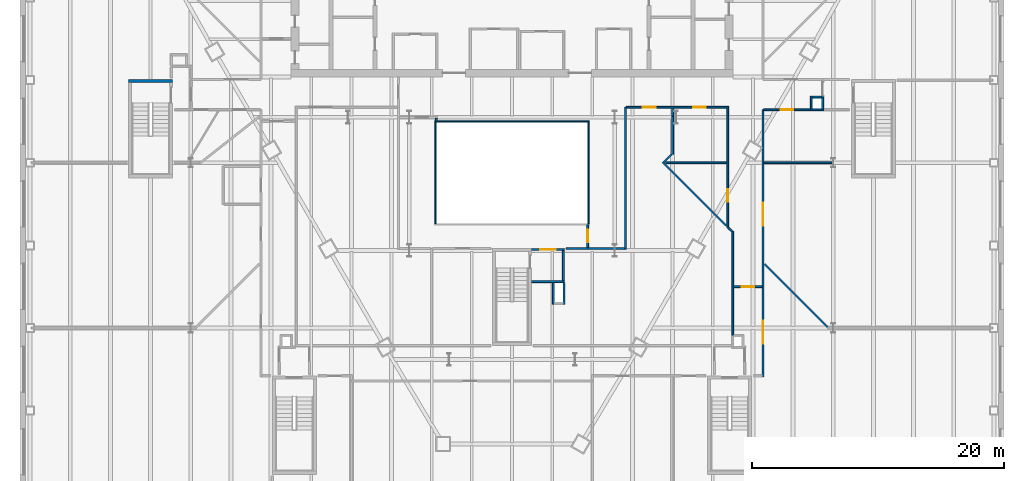
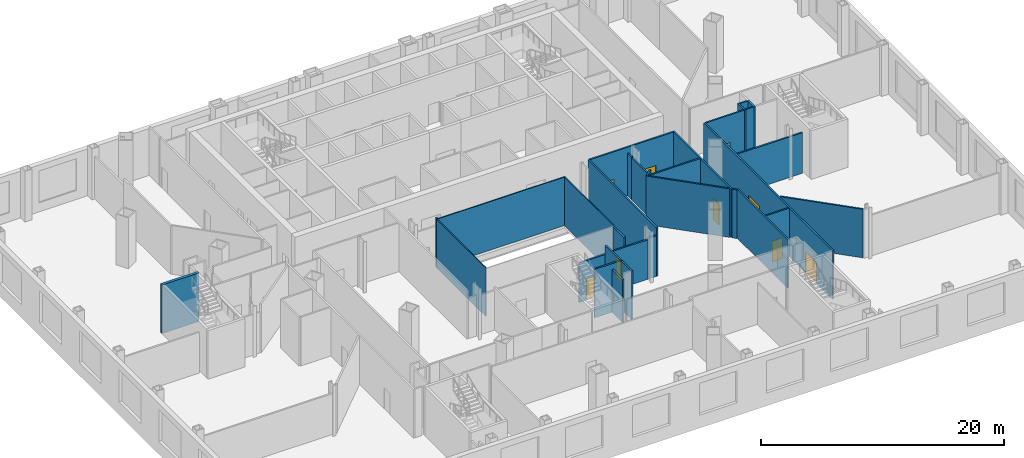
# One storey, part 11 of 21: 32 walls, 9 doors, 9 openings.
"""IFC4 building model written with IfcOpenShell, lengths in metres."""

from ifc_helpers import new_model, si_unit, direction, frame, frame_2d, origin, place, context, subcontext, project, spatial, rectangle, extrude, material, layer, layer_set, type_object, element, fill, save


model = new_model("IFC4")

# Units and contexts
model_context = context("Model", 3, precision=1e-05, world=origin(), true_north=direction((0.0, 1.0)))
body_context = subcontext(model_context, "Body", "Model", "MODEL_VIEW")
ifc_project = project(units=[si_unit("LENGTHUNIT", "METRE"), si_unit("AREAUNIT", "SQUARE_METRE"), si_unit("VOLUMEUNIT", "CUBIC_METRE"), si_unit("PLANEANGLEUNIT", "RADIAN"), si_unit("MASSUNIT", "GRAM", prefix="KILO")], contexts=[model_context])

# Site, building, storey
site_placement = place(None, origin())
site = spatial("IfcSite", under=ifc_project, at=site_placement, CompositionType="ELEMENT")
building_placement = place(site_placement, origin())
building = spatial("IfcBuilding", under=site, at=building_placement, Name="Njiva Tower", CompositionType="ELEMENT")
storey_placement = place(building_placement, frame((0.0, 0.0, 13.5)))
storey = spatial("IfcBuildingStorey", under=building, at=storey_placement, Name="L02", CompositionType="ELEMENT", Elevation=13.5)

# Walls
ifc_material_1 = material(Name="Gypsum board on steel studs", Category="gypsum")
ifc_layer_1 = layer(ifc_material_1, 0.15)
ifc_layer_set_1 = layer_set([ifc_layer_1], Name="Gypsum board on steel studs")
wall_type_1 = type_object("IfcWallType", Name="WT21 Compartment wall 150", PredefinedType="PARTITIONING", material=ifc_layer_set_1)
wall_1_placement = place(storey_placement, frame((-6.0, -3.48, 0.0), z_axis=(0.0, 0.0, 1.0), x_axis=(0.0, 1.0, 0.0)))
element("IfcWall", 1, at=wall_1_placement, inside=storey, type_object=wall_type_1, Name="Partition L02-P053", PredefinedType="PARTITIONING", context=body_context, shape_type="SweptSolid", body=[
    extrude(rectangle(XDim=0.205, YDim=0.15, at=frame_2d((0.1025, 0.0))), origin(), (0.0, 0.0, 1.0), 4.88),
])
wall_2_placement = place(storey_placement, frame((4.3, -13.6, 0.0), z_axis=(0.0, 0.0, 1.0), x_axis=(1.0, 0.0, 0.0)))
element("IfcWall", 2, at=wall_2_placement, inside=storey, type_object=wall_type_1, Name="Partition L02-P056", PredefinedType="PARTITIONING", context=body_context, shape_type="SweptSolid", body=[
    extrude(rectangle(XDim=3.85, YDim=0.15, at=frame_2d((1.925, 0.0))), origin(), (0.0, 0.0, 1.0), 3.97),
])
wall_3_placement = place(storey_placement, frame((8.15, -13.6, 0.0), z_axis=(0.0, 0.0, 1.0), x_axis=(1.0, 0.0, 0.0)))
element("IfcWall", 3, at=wall_3_placement, inside=storey, type_object=wall_type_1, Name="Partition L02-P056A", PredefinedType="PARTITIONING", context=body_context, shape_type="SweptSolid", body=[
    extrude(rectangle(XDim=0.775, YDim=0.15, at=frame_2d((0.3875, 0.0))), origin(), (0.0, 0.0, 1.0), 4.09),
])

# Wall, opening, door
wall_4_placement = place(storey_placement, frame((6.0, -13.525, 0.0), z_axis=(0.0, 0.0, 1.0), x_axis=(0.0, 1.0, 0.0)))
wall_4 = element("IfcWall", 4, at=wall_4_placement, inside=storey, type_object=wall_type_1, Name="Partition L02-P057", PredefinedType="PARTITIONING", context=body_context, shape_type="SweptSolid", body=[
    extrude(rectangle(XDim=1.805, YDim=0.15, at=frame_2d((0.9025, 0.0))), origin(), (0.0, 0.0, 1.0), 4.88),
])
opening_1_placement = place(wall_4_placement, frame((0.403, 0.0, 0.0)))
opening_1 = element("IfcOpeningElement", 5, at=opening_1_placement, cuts=wall_4, Name="Opening L02-D020", PredefinedType="OPENING", context=body_context, shape_type="SweptSolid", body=[
    extrude(rectangle(XDim=1.0, YDim=2.1, at=frame_2d((0.5, 1.05))), frame((0.0, 0.085, 0.0), z_axis=(0.0, -1.0, 0.0), x_axis=(1.0, 0.0, 0.0)), (0.0, 0.0, 1.0), 0.17),
])
ifc_material_2 = material(Name="Steel fire door set", Category="steel")
door_type_1 = type_object("IfcDoorType", Name="D37 Fire door 1000x2100", OperationType="SINGLE_SWING_LEFT", PredefinedType="DOOR", material=ifc_material_2)
door_1_placement = place(opening_1_placement, origin())
door_1 = element("IfcDoor", 6, at=door_1_placement, inside=storey, type_object=door_type_1, Name="Door L02-D020", OperationType="SINGLE_SWING_RIGHT", OverallHeight=2.1, OverallWidth=1.0, PredefinedType="DOOR", context=body_context, shape_type="SweptSolid", body=[
    extrude(rectangle(XDim=1.0, YDim=2.1, at=frame_2d((0.5, 1.05))), frame((0.0, 0.025, 0.0), z_axis=(0.0, -1.0, 0.0), x_axis=(1.0, 0.0, 0.0)), (0.0, 0.0, 1.0), 0.05),
])
fill(opening_1, door_1)

# Wall
wall_5_placement = place(storey_placement, frame((9.0, -13.675, 0.0), z_axis=(0.0, 0.0, 1.0), x_axis=(0.0, 1.0, 0.0)))
element("IfcWall", 7, at=wall_5_placement, inside=storey, type_object=wall_type_1, Name="Partition L02-P061", PredefinedType="PARTITIONING", context=body_context, shape_type="SweptSolid", body=[
    extrude(rectangle(XDim=11.286, YDim=0.15, at=frame_2d((5.643, 0.0))), origin(), (0.0, 0.0, 1.0), 4.88),
])

# Wall, openings, doors
wall_6_placement = place(storey_placement, frame((9.075, -2.4, 0.0), z_axis=(0.0, 0.0, 1.0), x_axis=(1.0, 0.0, 0.0)))
wall_6 = element("IfcWall", 8, at=wall_6_placement, inside=storey, type_object=wall_type_1, Name="Partition L02-P062", PredefinedType="PARTITIONING", context=body_context, shape_type="SweptSolid", body=[
    extrude(rectangle(XDim=7.95, YDim=0.15, at=frame_2d((3.975, 0.0))), origin(), (0.0, 0.0, 1.0), 4.88),
])
opening_2_placement = place(wall_6_placement, frame((1.303, 0.0, 0.0)))
opening_2 = element("IfcOpeningElement", 9, at=opening_2_placement, cuts=wall_6, Name="Opening L02-D023", PredefinedType="OPENING", context=body_context, shape_type="SweptSolid", body=[
    extrude(rectangle(XDim=1.0, YDim=2.1, at=frame_2d((0.5, 1.05))), frame((0.0, 0.085, 0.0), z_axis=(0.0, -1.0, 0.0), x_axis=(1.0, 0.0, 0.0)), (0.0, 0.0, 1.0), 0.17),
])
opening_3_placement = place(wall_6_placement, frame((5.279, 0.0, 0.0)))
opening_3 = element("IfcOpeningElement", 10, at=opening_3_placement, cuts=wall_6, Name="Opening L02-D024", PredefinedType="OPENING", context=body_context, shape_type="SweptSolid", body=[
    extrude(rectangle(XDim=1.0, YDim=2.1, at=frame_2d((0.5, 1.05))), frame((0.0, 0.085, 0.0), z_axis=(0.0, -1.0, 0.0), x_axis=(1.0, 0.0, 0.0)), (0.0, 0.0, 1.0), 0.17),
])
door_2_placement = place(opening_2_placement, origin())
door_2 = element("IfcDoor", 11, at=door_2_placement, inside=storey, type_object=door_type_1, Name="Door L02-D023", OperationType="SINGLE_SWING_LEFT", OverallHeight=2.1, OverallWidth=1.0, PredefinedType="DOOR", context=body_context, shape_type="SweptSolid", body=[
    extrude(rectangle(XDim=1.0, YDim=2.1, at=frame_2d((0.5, 1.05))), frame((0.0, 0.025, 0.0), z_axis=(0.0, -1.0, 0.0), x_axis=(1.0, 0.0, 0.0)), (0.0, 0.0, 1.0), 0.05),
])
fill(opening_2, door_2)
door_3_placement = place(opening_3_placement, origin())
door_3 = element("IfcDoor", 12, at=door_3_placement, inside=storey, type_object=door_type_1, Name="Door L02-D024", OperationType="SINGLE_SWING_RIGHT", OverallHeight=2.1, OverallWidth=1.0, PredefinedType="DOOR", context=body_context, shape_type="SweptSolid", body=[
    extrude(rectangle(XDim=1.0, YDim=2.1, at=frame_2d((0.5, 1.05))), frame((0.0, 0.025, 0.0), z_axis=(0.0, -1.0, 0.0), x_axis=(1.0, 0.0, 0.0)), (0.0, 0.0, 1.0), 0.05),
])
fill(opening_3, door_3)

# Walls
wall_7_placement = place(storey_placement, frame((11.947, -6.747, 0.0), z_axis=(0.0, 0.0, 1.0), x_axis=(0.707106781187, -0.707106781187, 0.0)))
element("IfcWall", 13, at=wall_7_placement, inside=storey, type_object=wall_type_1, Name="Partition L02-P064", PredefinedType="PARTITIONING", context=body_context, shape_type="SweptSolid", body=[
    extrude(rectangle(XDim=7.1064, YDim=0.15, at=frame_2d((3.5532, 0.0))), origin(), (0.0, 0.0, 1.0), 4.88),
])
wall_8_placement = place(storey_placement, frame((12.054, -6.747, 0.0), z_axis=(0.0, 0.0, 1.0), x_axis=(0.706521670373, 0.707691408238, 0.0)))
element("IfcWall", 14, at=wall_8_placement, inside=storey, type_object=wall_type_1, Name="Partition L02-P065", PredefinedType="PARTITIONING", context=body_context, shape_type="SweptSolid", body=[
    extrude(rectangle(XDim=0.8549, YDim=0.15, at=frame_2d((0.4274, 0.0))), origin(), (0.0, 0.0, 1.0), 4.88),
])
wall_9_placement = place(storey_placement, frame((12.181, -6.8, 0.0), z_axis=(0.0, 0.0, 1.0), x_axis=(1.0, 0.0, 0.0)))
element("IfcWall", 15, at=wall_9_placement, inside=storey, type_object=wall_type_1, Name="Partition L02-P066", PredefinedType="PARTITIONING", context=body_context, shape_type="SweptSolid", body=[
    extrude(rectangle(XDim=4.844, YDim=0.15, at=frame_2d((2.422, 0.0))), origin(), (0.0, 0.0, 1.0), 4.88),
])
wall_10_placement = place(storey_placement, frame((12.733, -6.142, 0.0), z_axis=(0.0, 0.0, 1.0), x_axis=(0.000262984869, 0.999999965419, 0.0)))
element("IfcWall", 16, at=wall_10_placement, inside=storey, type_object=wall_type_1, Name="Partition L02-P067", PredefinedType="PARTITIONING", context=body_context, shape_type="SweptSolid", body=[
    extrude(rectangle(XDim=3.042, YDim=0.15, at=frame_2d((1.521, 0.0))), origin(), (0.0, 0.0, 1.0), 4.19),
])
wall_11_placement = place(storey_placement, frame((12.7338, -3.1, 0.0), z_axis=(0.0, 0.0, 1.0), x_axis=(0.000319999984, 0.9999999488, 0.0)))
element("IfcWall", 17, at=wall_11_placement, inside=storey, type_object=wall_type_1, Name="Partition L02-P067A", PredefinedType="PARTITIONING", context=body_context, shape_type="SweptSolid", body=[
    extrude(rectangle(XDim=0.625, YDim=0.15, at=frame_2d((0.3125, 0.0))), origin(), (0.0, 0.0, 1.0), 4.28),
])

# Wall, opening, door
wall_12_placement = place(storey_placement, frame((17.1, -11.9, 0.0), z_axis=(0.0, 0.0, 1.0), x_axis=(0.0, 1.0, 0.0)))
wall_12 = element("IfcWall", 18, at=wall_12_placement, inside=storey, type_object=wall_type_1, Name="Partition L02-P070", PredefinedType="PARTITIONING", context=body_context, shape_type="SweptSolid", body=[
    extrude(rectangle(XDim=9.575, YDim=0.15, at=frame_2d((4.7875, 0.0))), origin(), (0.0, 0.0, 1.0), 4.88),
])
opening_4_placement = place(wall_12_placement, frame((2.0, 0.0, 0.0)))
opening_4 = element("IfcOpeningElement", 19, at=opening_4_placement, cuts=wall_12, Name="Opening L02-D026", PredefinedType="OPENING", context=body_context, shape_type="SweptSolid", body=[
    extrude(rectangle(XDim=1.0, YDim=2.1, at=frame_2d((0.5, 1.05))), frame((0.0, 0.085, 0.0), z_axis=(0.0, -1.0, 0.0), x_axis=(1.0, 0.0, 0.0)), (0.0, 0.0, 1.0), 0.17),
])
door_4_placement = place(opening_4_placement, origin())
door_4 = element("IfcDoor", 20, at=door_4_placement, inside=storey, type_object=door_type_1, Name="Door L02-D026", OperationType="SINGLE_SWING_RIGHT", OverallHeight=2.1, OverallWidth=1.0, PredefinedType="DOOR", context=body_context, shape_type="SweptSolid", body=[
    extrude(rectangle(XDim=1.0, YDim=2.1, at=frame_2d((0.5, 1.05))), frame((0.0, 0.025, 0.0), z_axis=(0.0, -1.0, 0.0), x_axis=(1.0, 0.0, 0.0)), (0.0, 0.0, 1.0), 0.05),
])
fill(opening_4, door_4)

# Walls
wall_13_placement = place(storey_placement, frame((17.137, -11.938, 0.0), z_axis=(0.0, 0.0, 1.0), x_axis=(0.708335460904, -0.705875962776, 0.0)))
element("IfcWall", 21, at=wall_13_placement, inside=storey, type_object=wall_type_1, Name="Partition L02-P071", PredefinedType="PARTITIONING", context=body_context, shape_type="SweptSolid", body=[
    extrude(rectangle(XDim=0.4066, YDim=0.15, at=frame_2d((0.2033, 0.0))), origin(), (0.0, 0.0, 1.0), 4.88),
])
wall_14_placement = place(storey_placement, frame((17.5, -20.513, 0.0), z_axis=(0.0, 0.0, 1.0), x_axis=(0.0, 1.0, 0.0)))
element("IfcWall", 22, at=wall_14_placement, inside=storey, type_object=wall_type_1, Name="Partition L02-P073", PredefinedType="PARTITIONING", context=body_context, shape_type="SweptSolid", body=[
    extrude(rectangle(XDim=8.288, YDim=0.15, at=frame_2d((4.144, 0.0))), origin(), (0.0, 0.0, 1.0), 4.88),
])

# Wall, opening, door
wall_15_placement = place(storey_placement, frame((17.575, -16.625, 0.0), z_axis=(0.0, 0.0, 1.0), x_axis=(1.0, 0.0, 0.0)))
wall_15 = element("IfcWall", 23, at=wall_15_placement, inside=storey, type_object=wall_type_1, Name="Partition L02-P077", PredefinedType="PARTITIONING", context=body_context, shape_type="SweptSolid", body=[
    extrude(rectangle(XDim=2.25, YDim=0.15, at=frame_2d((1.125, 0.0))), origin(), (0.0, 0.0, 1.0), 4.88),
])
opening_5_placement = place(wall_15_placement, frame((0.625, 0.0, 0.0)))
opening_5 = element("IfcOpeningElement", 24, at=opening_5_placement, cuts=wall_15, Name="Opening L02-D027", PredefinedType="OPENING", context=body_context, shape_type="SweptSolid", body=[
    extrude(rectangle(XDim=1.0, YDim=2.1, at=frame_2d((0.5, 1.05))), frame((0.0, 0.085, 0.0), z_axis=(0.0, -1.0, 0.0), x_axis=(1.0, 0.0, 0.0)), (0.0, 0.0, 1.0), 0.17),
])
door_5_placement = place(opening_5_placement, origin())
door_5 = element("IfcDoor", 25, at=door_5_placement, inside=storey, type_object=door_type_1, Name="Door L02-D027", OperationType="SINGLE_SWING_RIGHT", OverallHeight=2.1, OverallWidth=1.0, PredefinedType="DOOR", context=body_context, shape_type="SweptSolid", body=[
    extrude(rectangle(XDim=1.0, YDim=2.1, at=frame_2d((0.5, 1.05))), frame((0.0, 0.025, 0.0), z_axis=(0.0, -1.0, 0.0), x_axis=(1.0, 0.0, 0.0)), (0.0, 0.0, 1.0), 0.05),
])
fill(opening_5, door_5)

# Wall, openings, doors
wall_16_placement = place(storey_placement, frame((19.9, -23.775, 0.0), z_axis=(0.0, 0.0, 1.0), x_axis=(0.0, 1.0, 0.0)))
wall_16 = element("IfcWall", 26, at=wall_16_placement, inside=storey, type_object=wall_type_1, Name="Partition L02-P082", PredefinedType="PARTITIONING", context=body_context, shape_type="SweptSolid", body=[
    extrude(rectangle(XDim=21.187, YDim=0.15, at=frame_2d((10.5935, 0.0))), origin(), (0.0, 0.0, 1.0), 4.88),
])
opening_6_placement = place(wall_16_placement, frame((2.643, 0.0, 0.0)))
opening_6 = element("IfcOpeningElement", 27, at=opening_6_placement, cuts=wall_16, Name="Opening L02-D029", PredefinedType="OPENING", context=body_context, shape_type="SweptSolid", body=[
    extrude(rectangle(XDim=1.8, YDim=2.1, at=frame_2d((0.9, 1.05))), frame((0.0, 0.085, 0.0), z_axis=(0.0, -1.0, 0.0), x_axis=(1.0, 0.0, 0.0)), (0.0, 0.0, 1.0), 0.17),
])
opening_7_placement = place(wall_16_placement, frame((11.998, 0.0, 0.0)))
opening_7 = element("IfcOpeningElement", 28, at=opening_7_placement, cuts=wall_16, Name="Opening L02-D030", PredefinedType="OPENING", context=body_context, shape_type="SweptSolid", body=[
    extrude(rectangle(XDim=1.8, YDim=2.1, at=frame_2d((0.9, 1.05))), frame((0.0, 0.085, 0.0), z_axis=(0.0, -1.0, 0.0), x_axis=(1.0, 0.0, 0.0)), (0.0, 0.0, 1.0), 0.17),
])
door_type_2 = type_object("IfcDoorType", Name="D38 Fire door 1800x2100", OperationType="DOUBLE_DOOR_SINGLE_SWING", PredefinedType="DOOR", material=ifc_material_2)
door_6_placement = place(opening_6_placement, origin())
door_6 = element("IfcDoor", 29, at=door_6_placement, inside=storey, type_object=door_type_2, Name="Door L02-D029", OperationType="DOUBLE_DOOR_SINGLE_SWING", OverallHeight=2.1, OverallWidth=1.8, PredefinedType="DOOR", context=body_context, shape_type="SweptSolid", body=[
    extrude(rectangle(XDim=1.8, YDim=2.1, at=frame_2d((0.9, 1.05))), frame((0.0, 0.025, 0.0), z_axis=(0.0, -1.0, 0.0), x_axis=(1.0, 0.0, 0.0)), (0.0, 0.0, 1.0), 0.05),
])
fill(opening_6, door_6)
door_7_placement = place(opening_7_placement, origin())
door_7 = element("IfcDoor", 30, at=door_7_placement, inside=storey, type_object=door_type_2, Name="Door L02-D030", OperationType="DOUBLE_DOOR_SINGLE_SWING", OverallHeight=2.1, OverallWidth=1.8, PredefinedType="DOOR", context=body_context, shape_type="SweptSolid", body=[
    extrude(rectangle(XDim=1.8, YDim=2.1, at=frame_2d((0.9, 1.05))), frame((0.0, 0.025, 0.0), z_axis=(0.0, -1.0, 0.0), x_axis=(1.0, 0.0, 0.0)), (0.0, 0.0, 1.0), 0.05),
])
fill(opening_7, door_7)

# Wall
wall_17_placement = place(storey_placement, frame((19.975, -6.8, 0.0), z_axis=(0.0, 0.0, 1.0), x_axis=(1.0, 0.0, 0.0)))
element("IfcWall", 31, at=wall_17_placement, inside=storey, type_object=wall_type_1, Name="Partition L02-P087", PredefinedType="PARTITIONING", context=body_context, shape_type="SweptSolid", body=[
    extrude(rectangle(XDim=6.775, YDim=0.15, at=frame_2d((3.3875, 0.0))), origin(), (0.0, 0.0, 1.0), 4.09),
])

# Wall, opening, door
wall_18_placement = place(storey_placement, frame((19.975, -2.6, 0.0), z_axis=(0.0, 0.0, 1.0), x_axis=(1.0, 0.0, 0.0)))
wall_18 = element("IfcWall", 32, at=wall_18_placement, inside=storey, type_object=wall_type_1, Name="Partition L02-P088", PredefinedType="PARTITIONING", context=body_context, shape_type="SweptSolid", body=[
    extrude(rectangle(XDim=3.675, YDim=0.15, at=frame_2d((1.8375, 0.0))), origin(), (0.0, 0.0, 1.0), 4.88),
])
opening_8_placement = place(wall_18_placement, frame((1.312, 0.0, 0.0)))
opening_8 = element("IfcOpeningElement", 33, at=opening_8_placement, cuts=wall_18, Name="Opening L02-D033", PredefinedType="OPENING", context=body_context, shape_type="SweptSolid", body=[
    extrude(rectangle(XDim=1.0, YDim=2.1, at=frame_2d((0.5, 1.05))), frame((0.0, 0.085, 0.0), z_axis=(0.0, -1.0, 0.0), x_axis=(1.0, 0.0, 0.0)), (0.0, 0.0, 1.0), 0.17),
])
door_8_placement = place(opening_8_placement, origin())
door_8 = element("IfcDoor", 34, at=door_8_placement, inside=storey, type_object=door_type_1, Name="Door L02-D033", OperationType="SINGLE_SWING_LEFT", OverallHeight=2.1, OverallWidth=1.0, PredefinedType="DOOR", context=body_context, shape_type="SweptSolid", body=[
    extrude(rectangle(XDim=1.0, YDim=2.1, at=frame_2d((0.5, 1.05))), frame((0.0, 0.025, 0.0), z_axis=(0.0, -1.0, 0.0), x_axis=(1.0, 0.0, 0.0)), (0.0, 0.0, 1.0), 0.05),
])
fill(opening_8, door_8)

# Walls
wall_19_placement = place(storey_placement, frame((20.028, -14.827, 0.0), z_axis=(0.0, 0.0, 1.0), x_axis=(0.707106781187, -0.707106781187, 0.0)))
element("IfcWall", 35, at=wall_19_placement, inside=storey, type_object=wall_type_1, Name="Partition L02-P089", PredefinedType="PARTITIONING", context=body_context, shape_type="SweptSolid", body=[
    extrude(rectangle(XDim=7.0682, YDim=0.15, at=frame_2d((3.5341, 0.0))), origin(), (0.0, 0.0, 1.0), 4.88),
])
ifc_layer_2 = layer(ifc_material_1, 0.15)
ifc_layer_set_2 = layer_set([ifc_layer_2], Name="Gypsum board on steel studs")
wall_type_2 = type_object("IfcWallType", Name="WT24 Riser room wall 150", PredefinedType="PARTITIONING", material=ifc_layer_set_2)
wall_20_placement = place(storey_placement, frame((23.725, -2.675, 0.0), z_axis=(0.0, 0.0, 1.0), x_axis=(0.0, 1.0, 0.0)))
element("IfcWall", 36, at=wall_20_placement, inside=storey, type_object=wall_type_2, Name="Partition L02-P091", PredefinedType="PARTITIONING", context=body_context, shape_type="SweptSolid", body=[
    extrude(rectangle(XDim=1.15, YDim=0.15, at=frame_2d((0.575, 0.0))), origin(), (0.0, 0.0, 1.0), 4.88),
])
for number, where, z_axis, x_axis, name in (
    (37, (23.8, -2.6, 0.0), (0.0, 0.0, 1.0), (1.0, 0.0, 0.0), "Partition L02-P092"),
    (38, (23.8, -1.6, 0.0), (0.0, 0.0, 1.0), (1.0, 0.0, 0.0), "Partition L02-P093"),
):
    element("IfcWall", number, at=place(storey_placement, frame(where, z_axis=z_axis, x_axis=x_axis)), inside=storey, type_object=wall_type_2, Name=name, PredefinedType="PARTITIONING", context=body_context, shape_type="SweptSolid", body=[
        extrude(rectangle(XDim=0.75, YDim=0.15, at=frame_2d((0.375, 0.0))), origin(), (0.0, 0.0, 1.0), 4.88),
    ])
wall_21_placement = place(storey_placement, frame((24.625, -2.675, 0.0), z_axis=(0.0, 0.0, 1.0), x_axis=(0.0, 1.0, 0.0)))
element("IfcWall", 39, at=wall_21_placement, inside=storey, type_object=wall_type_2, Name="Partition L02-P094", PredefinedType="PARTITIONING", context=body_context, shape_type="SweptSolid", body=[
    extrude(rectangle(XDim=1.087, YDim=0.15, at=frame_2d((0.5435, 0.0))), origin(), (0.0, 0.0, 1.0), 4.88),
])
ifc_material_3 = material(Name="Blockwork", Category="masonry")
ifc_layer_3 = layer(ifc_material_3, 0.15)
ifc_layer_set_3 = layer_set([ifc_layer_3], Name="Blockwork")
wall_type_3 = type_object("IfcWallType", Name="WT4 Stair partition 150", PredefinedType="PARTITIONING", material=ifc_layer_set_3)
wall_22_placement = place(storey_placement, frame((1.55, -16.225, 0.0), z_axis=(0.0, 0.0, 1.0), x_axis=(1.0, 0.0, 0.0)))
element("IfcWall", 40, at=wall_22_placement, inside=storey, type_object=wall_type_3, Name="Stair C vestibule wall south", PredefinedType="PARTITIONING", context=body_context, shape_type="SweptSolid", body=[
    extrude(rectangle(XDim=2.6, YDim=0.15, at=frame_2d((1.3, 0.0))), origin(), (0.0, 0.0, 1.0), 4.88),
])
wall_23_placement = place(storey_placement, frame((4.075, -16.15, 0.0), z_axis=(0.0, 0.0, 1.0), x_axis=(0.0, 1.0, 0.0)))
element("IfcWall", 41, at=wall_23_placement, inside=storey, type_object=wall_type_3, Name="Stair C vestibule wall east", PredefinedType="PARTITIONING", context=body_context, shape_type="SweptSolid", body=[
    extrude(rectangle(XDim=2.4, YDim=0.15, at=frame_2d((1.2, 0.0))), origin(), (0.0, 0.0, 1.0), 4.88),
])

# Wall, opening, door
wall_24_placement = place(storey_placement, frame((1.55, -13.675, 0.0), z_axis=(0.0, 0.0, 1.0), x_axis=(1.0, 0.0, 0.0)))
wall_24 = element("IfcWall", 42, at=wall_24_placement, inside=storey, type_object=wall_type_3, Name="Stair C vestibule wall north", PredefinedType="PARTITIONING", context=body_context, shape_type="SweptSolid", body=[
    extrude(rectangle(XDim=2.6, YDim=0.15, at=frame_2d((1.3, 0.0))), origin(), (0.0, 0.0, 1.0), 3.97),
])
opening_9_placement = place(wall_24_placement, frame((0.675, 0.0, 0.0)))
opening_9 = element("IfcOpeningElement", 43, at=opening_9_placement, cuts=wall_24, Name="Opening L02-D940", PredefinedType="OPENING", context=body_context, shape_type="SweptSolid", body=[
    extrude(rectangle(XDim=1.25, YDim=2.1, at=frame_2d((0.625, 1.05))), frame((0.0, 0.085, 0.0), z_axis=(0.0, -1.0, 0.0), x_axis=(1.0, 0.0, 0.0)), (0.0, 0.0, 1.0), 0.17),
])
ifc_material_4 = material(Name="Glazed steel fire door", Category="steel")
door_type_3 = type_object("IfcDoorType", Name="D8 Vestibule corridor door 1250x2100 glazed", OperationType="SINGLE_SWING_LEFT", PredefinedType="DOOR", material=ifc_material_4)
door_9_placement = place(opening_9_placement, origin())
door_9 = element("IfcDoor", 44, at=door_9_placement, inside=storey, type_object=door_type_3, Name="Stair vestibule corridor door", OperationType="SINGLE_SWING_RIGHT", OverallHeight=2.1, OverallWidth=1.25, PredefinedType="DOOR", context=body_context, shape_type="SweptSolid", body=[
    extrude(rectangle(XDim=1.25, YDim=2.1, at=frame_2d((0.625, 1.05))), frame((0.0, 0.025, 0.0), z_axis=(0.0, -1.0, 0.0), x_axis=(1.0, 0.0, 0.0)), (0.0, 0.0, 1.0), 0.05),
])
fill(opening_9, door_9)

# Walls
wall_25_placement = place(storey_placement, frame((3.275, -18.0, 0.0), z_axis=(0.0, 0.0, 1.0), x_axis=(0.0, 1.0, 0.0)))
element("IfcWall", 45, at=wall_25_placement, inside=storey, type_object=wall_type_3, Name="Stair C pressurisation shaft wall", PredefinedType="PARTITIONING", context=body_context, shape_type="SweptSolid", body=[
    extrude(rectangle(XDim=1.7, YDim=0.15, at=frame_2d((0.85, 0.0))), origin(), (0.0, 0.0, 1.0), 4.28),
])
wall_26_placement = place(storey_placement, frame((4.125, -18.0, 0.0), z_axis=(0.0, 0.0, 1.0), x_axis=(0.0, 1.0, 0.0)))
element("IfcWall", 46, at=wall_26_placement, inside=storey, type_object=wall_type_3, Name="Stair C pressurisation shaft wall", PredefinedType="PARTITIONING", context=body_context, shape_type="SweptSolid", body=[
    extrude(rectangle(XDim=1.7, YDim=0.15, at=frame_2d((0.85, 0.0))), origin(), (0.0, 0.0, 1.0), 4.88),
])
ifc_material_5 = material(Name="Concrete C40/50", Category="concrete")
ifc_layer_4 = layer(ifc_material_5, 0.25)
ifc_layer_set_4 = layer_set([ifc_layer_4], Name="Concrete C40/50")
wall_type_4 = type_object("IfcWallType", Name="WT9 Stair enclosure wall 250", PredefinedType="SHEAR", material=ifc_layer_set_4)
wall_27_placement = place(storey_placement, frame((-30.4, -0.325, 0.0), z_axis=(0.0, 0.0, 1.0), x_axis=(1.0, 0.0, 0.0)))
element("IfcWall", 47, at=wall_27_placement, inside=storey, type_object=wall_type_4, Name="Stair F wall north", PredefinedType="SHEAR", context=body_context, shape_type="SweptSolid", body=[
    extrude(rectangle(XDim=3.5, YDim=0.25, at=frame_2d((1.75, 0.0))), origin(), (0.0, 0.0, 1.0), 4.88),
])
ifc_material_6 = material(Name="Fire-resisting glazing EI 90", Category="glass")
ifc_layer_5 = layer(ifc_material_6, 0.1)
ifc_layer_set_5 = layer_set([ifc_layer_5], Name="Fire-resisting glazing EI 90")
wall_type_5 = type_object("IfcWallType", Name="WT95 Fire-resisting glazed screen EI 90", PredefinedType="PARTITIONING", material=ifc_layer_set_5)
wall_28_placement = place(storey_placement, frame((6.07, -11.62, 0.0), z_axis=(0.0, 0.0, 1.0), x_axis=(0.0, 1.0, 0.0)))
element("IfcWall", 48, at=wall_28_placement, inside=storey, type_object=wall_type_5, Name="Atrium fire screen east", PredefinedType="PARTITIONING", context=body_context, shape_type="SweptSolid", body=[
    extrude(rectangle(XDim=8.04, YDim=0.1, at=frame_2d((4.02, 0.0))), origin(), (0.0, 0.0, 1.0), 4.88),
])
wall_29_placement = place(storey_placement, frame((6.12, -3.53, 0.0), z_axis=(0.0, 0.0, 1.0), x_axis=(-1.0, 0.0, 0.0)))
element("IfcWall", 49, at=wall_29_placement, inside=storey, type_object=wall_type_5, Name="Atrium fire screen north", PredefinedType="PARTITIONING", context=body_context, shape_type="SweptSolid", body=[
    extrude(rectangle(XDim=12.24, YDim=0.1, at=frame_2d((6.12, 0.0))), origin(), (0.0, 0.0, 1.0), 4.88),
])
wall_30_placement = place(storey_placement, frame((-6.07, -3.58, 0.0), z_axis=(0.0, 0.0, 1.0), x_axis=(0.0, -1.0, 0.0)))
element("IfcWall", 50, at=wall_30_placement, inside=storey, type_object=wall_type_5, Name="Atrium fire screen west", PredefinedType="PARTITIONING", context=body_context, shape_type="SweptSolid", body=[
    extrude(rectangle(XDim=8.04, YDim=0.1, at=frame_2d((4.02, 0.0))), origin(), (0.0, 0.0, 1.0), 4.88),
])

save(model, "model.ifc")
